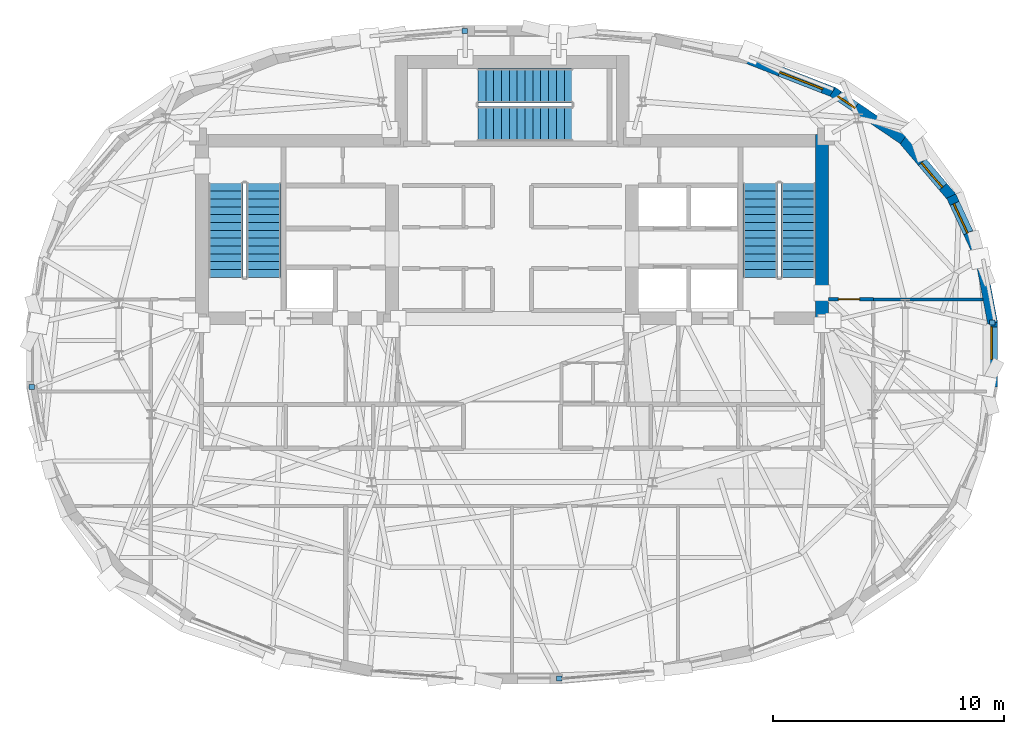
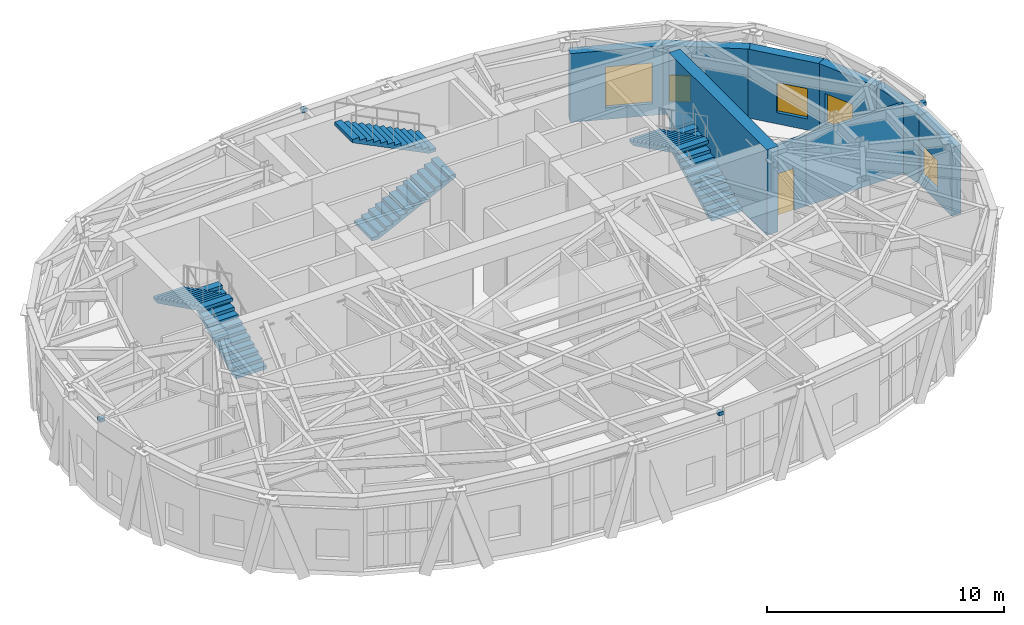
# One storey, part 12 of 15: 9 walls, 6 stair flights, 5 windows, 4 discrete accessories, 1 door, 6 openings, 3 elements without a shape of their own.
"""IFC4 building model written with IfcOpenShell, lengths in metres."""

from ifc_helpers import new_model, si_unit, direction, frame, frame_2d, origin, origin_2d, place, context, subcontext, project, spatial, polyline, rectangle, outline, extrude, material, layer, layer_set, type_object, element, fill, aggregate, save


model = new_model("IFC4")

# Units and contexts
model_context = context("Model", 3, precision=1e-05, world=origin(), true_north=direction((0.0, 1.0)))
body_context = subcontext(model_context, "Body", "Model", "MODEL_VIEW")
ifc_project = project(units=[si_unit("LENGTHUNIT", "METRE"), si_unit("AREAUNIT", "SQUARE_METRE"), si_unit("VOLUMEUNIT", "CUBIC_METRE"), si_unit("PLANEANGLEUNIT", "RADIAN"), si_unit("MASSUNIT", "GRAM", prefix="KILO")], contexts=[model_context])

# Site, building, storey
site_placement = place(None, origin())
site = spatial("IfcSite", under=ifc_project, at=site_placement, CompositionType="ELEMENT")
building_placement = place(site_placement, origin())
building = spatial("IfcBuilding", under=site, at=building_placement, Name="Keldmark Tower", CompositionType="ELEMENT")
storey_placement = place(building_placement, frame((0.0, 0.0, 260.39990234375)))
storey = spatial("IfcBuildingStorey", under=building, at=storey_placement, Name="L74", CompositionType="ELEMENT", Elevation=260.39990234375)

# Wall, opening, door
ifc_material_1 = material(Name="Acoustic Double-Layer Gypsum Corridor Partition", Category="gypsum")
ifc_layer_1 = layer(ifc_material_1, 0.139892578125)
ifc_layer_set_1 = layer_set([ifc_layer_1], Name="Acoustic Double-Layer Gypsum Corridor Partition")
wall_type_1 = type_object("IfcWallType", Name="Acoustic Corridor Partition 140 mm", PredefinedType="PARTITIONING", material=ifc_layer_set_1)
wall_1_placement = place(storey_placement, frame((13.699951171875, 2.39990234375, 0.0), z_axis=(0.0, 0.0, 1.0), x_axis=(1.0, 0.0, 0.0)))
wall_1 = element("IfcWall", 1, at=wall_1_placement, inside=storey, type_object=wall_type_1, Name="L74 Acoustic Corridor Partition 140 mm COR-EN-CAP", PredefinedType="PARTITIONING", context=body_context, shape_type="SweptSolid", body=[
    extrude(rectangle(XDim=1.949951171875, YDim=0.139892578125, at=frame_2d((0.97509765625, 0.0))), origin(), (0.0, 0.0, 1.0), 3.633056640625),
])
opening_1_placement = place(wall_1_placement, frame((0.43994140625, 0.0, 0.0)))
opening_1 = element("IfcOpeningElement", 2, at=opening_1_placement, cuts=wall_1, Name="Opening D-EX092", PredefinedType="OPENING", context=body_context, shape_type="SweptSolid", body=[
    extrude(rectangle(XDim=0.919921875, YDim=2.14990234375, at=frame_2d((0.4599609375, 1.074951171875))), frame((0.0, 0.079833984375, 0.0), z_axis=(0.0, -1.0, 0.0), x_axis=(1.0, 0.0, 0.0)), (0.0, 0.0, 1.0), 0.159912109375),
])
ifc_material_2 = material(Name="Flush American Ash Executive Office Door", Category="wood")
door_type = type_object("IfcDoorType", Name="Executive Office Door 920x2150", OperationType="NOTDEFINED", PredefinedType="DOOR", material=ifc_material_2)
door_placement = place(opening_1_placement, origin())
door = element("IfcDoor", 3, at=door_placement, inside=storey, type_object=door_type, Name="L74 Executive Office Door 920x2150 D-NRNE-L74", OperationType="SINGLE_SWING_RIGHT", OverallHeight=2.14990234375, OverallWidth=0.919921875, PredefinedType="DOOR", context=body_context, shape_type="SweptSolid", body=[
    extrude(rectangle(XDim=0.919921875, YDim=2.14990234375, at=frame_2d((0.4599609375, 1.074951171875))), frame((0.0, 0.02490234375, 0.0), z_axis=(0.0, -1.0, 0.0), x_axis=(1.0, 0.0, 0.0)), (0.0, 0.0, 1.0), 0.050048828125),
])
fill(opening_1, door)

# Walls
ifc_material_3 = material(Name="Concrete C50/60", Category="concrete")
ifc_layer_2 = layer(ifc_material_3, 0.550048828125)
ifc_layer_set_2 = layer_set([ifc_layer_2], Name="Concrete C50/60")
wall_type_2 = type_object("IfcWallType", Name="High-Rise Core Shear Wall 550 mm", PredefinedType="SHEAR", material=ifc_layer_set_2)
wall_2_placement = place(storey_placement, frame((13.425048828125, 1.300048828125, 0.0), z_axis=(0.0, 0.0, 1.0), x_axis=(0.0, 1.0, 0.0)))
element("IfcWall", 4, at=wall_2_placement, inside=storey, type_object=wall_type_2, Name="L74 East Core Outer Shear Wall", PredefinedType="SHEAR", context=body_context, shape_type="SweptSolid", body=[
    extrude(rectangle(XDim=8.25, YDim=0.550048828125, at=frame_2d((4.125, 0.0))), origin(), (0.0, 0.0, 1.0), 4.400146484375),
])
ifc_material_4 = material(Name="Acoustic Gypsum Board Interior Partition", Category="gypsum")
ifc_layer_3 = layer(ifc_material_4, 0.1298828125)
ifc_layer_set_3 = layer_set([ifc_layer_3], Name="Acoustic Gypsum Board Interior Partition")
wall_type_3 = type_object("IfcWallType", Name="Interior Partition 130 mm", PredefinedType="PARTITIONING", material=ifc_layer_set_3)
wall_3_placement = place(storey_placement, frame((15.64990234375, 2.39990234375, 0.0), z_axis=(0.0, 0.0, 1.0), x_axis=(1.0, 0.0, 0.0)))
element("IfcWall", 5, at=wall_3_placement, inside=storey, type_object=wall_type_3, Name="L74 Interior Partition 130 mm E-CAP-N", PredefinedType="PARTITIONING", context=body_context, shape_type="SweptSolid", body=[
    extrude(rectangle(XDim=4.73974609375, YDim=0.1298828125, at=frame_2d((2.369873046875, 0.0))), origin(), (0.0, 0.0, 1.0), 3.633056640625),
])
ifc_material_5 = material(Name="Ironspot Manganese Brick and Kasota Buff Limestone Spandrel Assembly", Category="masonry")
ifc_layer_4 = layer(ifc_material_5, 0.43994140625)
ifc_layer_set_4 = layer_set([ifc_layer_4], Name="Ironspot Manganese Brick and Kasota Buff Limestone Spandrel Assembly")
wall_type_4 = type_object("IfcWallType", Name="Tower Brick Pier and Spandrel Wall 440 mm", PredefinedType="STANDARD", material=ifc_layer_set_4)
wall_4_placement = place(storey_placement, frame((20.286376953125, 4.175537109375, 0.0), z_axis=(0.0, 0.0, 1.0), x_axis=(0.185555519657, -0.982633781795, 0.0)))
element("IfcWall", 6, at=wall_4_placement, inside=storey, type_object=wall_type_4, Name="L74 Exterior Brick and Spandrel Wall 01", PredefinedType="STANDARD", context=body_context, shape_type="SweptSolid", body=[
    extrude(rectangle(XDim=2.86181640625, YDim=0.43994140625, at=frame_2d((1.430908203125, 0.0))), origin(), (0.0, 0.0, 1.0), 3.546142578125),
])

# Wall, opening, window
wall_5_placement = place(storey_placement, frame((19.02197265625, 6.872314453125, 0.0), z_axis=(0.0, 0.0, 1.0), x_axis=(0.422378607623, -0.906419501016, 0.0)))
wall_5 = element("IfcWall", 7, at=wall_5_placement, inside=storey, type_object=wall_type_4, Name="L74 Exterior Brick and Spandrel Wall 02", PredefinedType="STANDARD", context=body_context, shape_type="SweptSolid", body=[
    extrude(rectangle(XDim=3.032958984375, YDim=0.43994140625, at=frame_2d((1.5166015625, 0.0))), origin(), (0.0, 0.0, 1.0), 3.546142578125),
])
opening_2_placement = place(wall_5_placement, frame((0.347900390625, 0.0, 0.580078125)))
opening_2 = element("IfcOpeningElement", 8, at=opening_2_placement, cuts=wall_5, Name="Opening W-08", PredefinedType="OPENING", context=body_context, shape_type="SweptSolid", body=[
    extrude(rectangle(XDim=1.39990234375, YDim=1.550048828125, at=frame_2d((0.699951171875, 0.77490234375))), frame((0.0, 0.22998046875, 0.0), z_axis=(0.0, -1.0, 0.0), x_axis=(1.0, 0.0, 0.0)), (0.0, 0.0, 1.0), 0.4599609375),
])
ifc_material_6 = material(Name="Thermally Broken Anodized Aluminum and Triple Low-E Argon Glazing", Category="aluminium")
window_type_1 = type_object("IfcWindowType", Name="Residential Corner Punched Window 1400x1550", PartitioningType="SINGLE_PANEL", PredefinedType="WINDOW", material=ifc_material_6)
window_1_placement = place(opening_2_placement, origin())
window_1 = element("IfcWindow", 9, at=window_1_placement, inside=storey, type_object=window_type_1, Name="L74 Deep-Set Window 02", OverallHeight=1.550048828125, OverallWidth=1.39990234375, PartitioningType="SINGLE_PANEL", PredefinedType="WINDOW", context=body_context, shape_type="SweptSolid", body=[
    extrude(rectangle(XDim=1.39990234375, YDim=1.550048828125, at=frame_2d((0.699951171875, 0.77490234375))), frame((0.0, -0.010009765625, 0.0), z_axis=(0.0, -1.0, 0.0), x_axis=(1.0, 0.0, 0.0)), (0.0, 0.0, 1.0), 0.06005859375),
])
fill(opening_2, window_1)

wall_6_placement = place(storey_placement, frame((16.904052734375, 9.355712890625, 0.0), z_axis=(0.0, 0.0, 1.0), x_axis=(0.647061604266, -0.762437722233, 0.0)))
wall_6 = element("IfcWall", 10, at=wall_6_placement, inside=storey, type_object=wall_type_4, Name="L74 Exterior Brick and Spandrel Wall 03", PredefinedType="STANDARD", context=body_context, shape_type="SweptSolid", body=[
    extrude(rectangle(XDim=3.322265625, YDim=0.43994140625, at=frame_2d((1.6611328125, 0.0))), origin(), (0.0, 0.0, 1.0), 3.546142578125),
])
opening_3_placement = place(wall_6_placement, frame((1.329345703125, 0.0, 0.580078125)))
opening_3 = element("IfcOpeningElement", 11, at=opening_3_placement, cuts=wall_6, Name="Opening W-08", PredefinedType="OPENING", context=body_context, shape_type="SweptSolid", body=[
    extrude(rectangle(XDim=1.39990234375, YDim=1.550048828125, at=frame_2d((0.699951171875, 0.77490234375))), frame((0.0, 0.22998046875, 0.0), z_axis=(0.0, -1.0, 0.0), x_axis=(1.0, 0.0, 0.0)), (0.0, 0.0, 1.0), 0.4599609375),
])
window_2_placement = place(opening_3_placement, origin())
window_2 = element("IfcWindow", 12, at=window_2_placement, inside=storey, type_object=window_type_1, Name="L74 Deep-Set Window 03", OverallHeight=1.550048828125, OverallWidth=1.39990234375, PartitioningType="SINGLE_PANEL", PredefinedType="WINDOW", context=body_context, shape_type="SweptSolid", body=[
    extrude(rectangle(XDim=1.39990234375, YDim=1.550048828125, at=frame_2d((0.699951171875, 0.77490234375))), frame((0.0, -0.010009765625, 0.0), z_axis=(0.0, -1.0, 0.0), x_axis=(1.0, 0.0, 0.0)), (0.0, 0.0, 1.0), 0.06005859375),
])
fill(opening_3, window_2)

wall_7_placement = place(storey_placement, frame((13.886962890625, 11.39111328125, 0.0), z_axis=(0.0, 0.0, 1.0), x_axis=(0.827739678134, -0.561112310721, 0.0)))
wall_7 = element("IfcWall", 13, at=wall_7_placement, inside=storey, type_object=wall_type_4, Name="L74 Exterior Brick and Spandrel Wall 04", PredefinedType="STANDARD", context=body_context, shape_type="SweptSolid", body=[
    extrude(rectangle(XDim=3.6982421875, YDim=0.43994140625, at=frame_2d((1.84912109375, 0.0))), origin(), (0.0, 0.0, 1.0), 3.550048828125),
])
opening_4_placement = place(wall_7_placement, frame((0.2998046875, 0.0, 0.580078125)))
opening_4 = element("IfcOpeningElement", 14, at=opening_4_placement, cuts=wall_7, Name="Opening W-09", PredefinedType="OPENING", context=body_context, shape_type="SweptSolid", body=[
    extrude(rectangle(XDim=0.89990234375, YDim=1.35009765625, at=frame_2d((0.449951171875, 0.675048828125))), frame((0.0, 0.22998046875, 0.0), z_axis=(0.0, -1.0, 0.0), x_axis=(1.0, 0.0, 0.0)), (0.0, 0.0, 1.0), 0.4599609375),
])
ifc_material_7 = material(Name="Thermally Broken Anodized Aluminum and Triple Low-E Argon Glazing", Category="aluminium")
window_type_2 = type_object("IfcWindowType", Name="Corner Pier Deep-Set Window 900x1350", PartitioningType="SINGLE_PANEL", PredefinedType="WINDOW", material=ifc_material_7)
window_3_placement = place(opening_4_placement, origin())
window_3 = element("IfcWindow", 15, at=window_3_placement, inside=storey, type_object=window_type_2, Name="L74 Deep-Set Window 04", OverallHeight=1.35009765625, OverallWidth=0.89990234375, PartitioningType="SINGLE_PANEL", PredefinedType="WINDOW", context=body_context, shape_type="SweptSolid", body=[
    extrude(rectangle(XDim=0.89990234375, YDim=1.35009765625, at=frame_2d((0.449951171875, 0.675048828125))), frame((0.0, -0.010009765625, 0.0), z_axis=(0.0, -1.0, 0.0), x_axis=(1.0, 0.0, 0.0)), (0.0, 0.0, 1.0), 0.06005859375),
])
fill(opening_4, window_3)

wall_8_placement = place(storey_placement, frame((10.194091796875, 12.82568359375, 0.0), z_axis=(0.0, 0.0, 1.0), x_axis=(0.931645487624, -0.36336852559, 0.0)))
wall_8 = element("IfcWall", 16, at=wall_8_placement, inside=storey, type_object=wall_type_4, Name="L74 Exterior Brick and Spandrel Wall 05", PredefinedType="STANDARD", context=body_context, shape_type="SweptSolid", body=[
    extrude(rectangle(XDim=4.010498046875, YDim=0.43994140625, at=frame_2d((2.00537109375, 0.0))), origin(), (0.0, 0.0, 1.0), 3.546142578125),
])
opening_5_placement = place(wall_8_placement, frame((1.517578125, 0.0, 0.60009765625)))
opening_5 = element("IfcOpeningElement", 17, at=opening_5_placement, cuts=wall_8, Name="Opening W-06", PredefinedType="OPENING", context=body_context, shape_type="SweptSolid", body=[
    extrude(rectangle(XDim=2.0, YDim=2.10009765625, at=frame_2d((1.0, 1.050048828125))), frame((0.0, 0.22998046875, 0.0), z_axis=(0.0, -1.0, 0.0), x_axis=(1.0, 0.0, 0.0)), (0.0, 0.0, 1.0), 0.4599609375),
])
ifc_material_8 = material(Name="Thermally Broken Anodized Aluminum and Triple Low-E Argon Glazing", Category="aluminium")
window_type_3 = type_object("IfcWindowType", Name="Sky Lounge Tall Punched Window 2000x2100", PartitioningType="SINGLE_PANEL", PredefinedType="WINDOW", material=ifc_material_8)
window_4_placement = place(opening_5_placement, origin())
window_4 = element("IfcWindow", 18, at=window_4_placement, inside=storey, type_object=window_type_3, Name="L74 Deep-Set Window 05", OverallHeight=2.10009765625, OverallWidth=2.0, PartitioningType="SINGLE_PANEL", PredefinedType="WINDOW", context=body_context, shape_type="SweptSolid", body=[
    extrude(rectangle(XDim=2.0, YDim=2.10009765625, at=frame_2d((1.0, 1.050048828125))), frame((0.0, -0.010009765625, 0.0), z_axis=(0.0, -1.0, 0.0), x_axis=(1.0, 0.0, 0.0)), (0.0, 0.0, 1.0), 0.06005859375),
])
fill(opening_5, window_4)

wall_9_placement = place(storey_placement, frame((20.813720703125, 1.404296875, 0.0), z_axis=(0.0, 0.0, 1.0), x_axis=(0.0, -1.0, 0.0)))
wall_9 = element("IfcWall", 19, at=wall_9_placement, inside=storey, type_object=wall_type_4, Name="L74 Exterior Brick and Spandrel Wall 32", PredefinedType="STANDARD", context=body_context, shape_type="SweptSolid", body=[
    extrude(rectangle(XDim=2.80859375, YDim=0.43994140625, at=frame_2d((1.404296875, 0.0))), origin(), (0.0, 0.0, 1.0), 3.546142578125),
])
opening_6_placement = place(wall_9_placement, frame((0.199951171875, 0.0, 0.580078125)))
opening_6 = element("IfcOpeningElement", 20, at=opening_6_placement, cuts=wall_9, Name="Opening W-08", PredefinedType="OPENING", context=body_context, shape_type="SweptSolid", body=[
    extrude(rectangle(XDim=1.39990234375, YDim=1.550048828125, at=frame_2d((0.699951171875, 0.77490234375))), frame((0.0, 0.22998046875, 0.0), z_axis=(0.0, -1.0, 0.0), x_axis=(1.0, 0.0, 0.0)), (0.0, 0.0, 1.0), 0.4599609375),
])
window_5_placement = place(opening_6_placement, origin())
window_5 = element("IfcWindow", 21, at=window_5_placement, inside=storey, type_object=window_type_1, Name="L74 Deep-Set Window 32", OverallHeight=1.550048828125, OverallWidth=1.39990234375, PartitioningType="SINGLE_PANEL", PredefinedType="WINDOW", context=body_context, shape_type="SweptSolid", body=[
    extrude(rectangle(XDim=1.39990234375, YDim=1.550048828125, at=frame_2d((0.699951171875, 0.77490234375))), frame((0.0, -0.010009765625, 0.0), z_axis=(0.0, -1.0, 0.0), x_axis=(1.0, 0.0, 0.0)), (0.0, 0.0, 1.0), 0.06005859375),
])
fill(opening_6, window_5)

# Stair, stair flights
ifc_material_9 = material(Name="Concrete C40/50", Category="concrete")
stair_type = type_object("IfcStairType", Name="Precast Concrete Core Exit Stair", PredefinedType="HALF_TURN_STAIR", material=ifc_material_9)
stair_1_placement = place(storey_placement, origin())
stair_1 = element("IfcStair", 22, at=stair_1_placement, inside=storey, type_object=stair_type, Name="L74 Exit Stair ST1", PredefinedType="HALF_TURN_STAIR")
ifc_material_10 = material(Name="Concrete C40/50", Category="concrete")
stair_flight_type = type_object("IfcStairFlightType", Name="Precast Concrete Stair Flight 1500 mm", PredefinedType="STRAIGHT", material=ifc_material_10)
stair_flight_1_placement = place(storey_placement, frame((-10.75, 3.35009765625, 0.0), z_axis=(0.0, 0.0, 1.0), x_axis=(0.0, 1.0, 0.0)))
stair_flight_1 = element("IfcStairFlight", 23, at=stair_flight_1_placement, type_object=stair_flight_type, Name="ST1 flight 1", NumberOfRisers=13, NumberOfTreads=12, PredefinedType="STRAIGHT", RiserHeight=0.169230769, TreadLength=0.34, context=body_context, shape_type="SweptSolid", body=[
    extrude(outline(polyline([(0.0, 0.0), (0.0, 0.169189453125), (0.340087890625, 0.169189453125), (0.340087890625, 0.33837890625), (0.679931640625, 0.33837890625), (0.679931640625, 0.5078125), (1.02001953125, 0.5078125), (1.02001953125, 0.677001953125), (1.360107421875, 0.677001953125), (1.360107421875, 0.84619140625), (1.699951171875, 0.84619140625), (1.699951171875, 1.015380859375), (2.0400390625, 1.015380859375), (2.0400390625, 1.1845703125), (2.3798828125, 1.1845703125), (2.3798828125, 1.353759765625), (2.719970703125, 1.353759765625), (2.719970703125, 1.523193359375), (3.06005859375, 1.523193359375), (3.06005859375, 1.6923828125), (3.39990234375, 1.6923828125), (3.39990234375, 1.861572265625), (3.739990234375, 1.861572265625), (3.739990234375, 2.03076171875), (4.080078125, 2.03076171875), (4.080078125, 2.199951171875), (4.080078125, 1.86328125), (0.33642578125, 0.0), (0.0, 0.0)])), frame((0.0, 0.75, 0.0), z_axis=(0.0, -1.0, 0.0), x_axis=(1.0, 0.0, 0.0)), (0.0, 0.0, 1.0), 1.5),
])
stair_flight_2_placement = place(storey_placement, frame((-12.39990234375, 7.429931640625, 2.2001953125), z_axis=(0.0, 0.0, 1.0), x_axis=(0.0, -1.0, 0.0)))
stair_flight_2 = element("IfcStairFlight", 24, at=stair_flight_2_placement, type_object=stair_flight_type, Name="ST1 flight 2", NumberOfRisers=13, NumberOfTreads=12, PredefinedType="STRAIGHT", RiserHeight=0.169230769, TreadLength=0.34, context=body_context, shape_type="SweptSolid", body=[
    extrude(outline(polyline([(0.0, 0.0), (0.0, 0.169189453125), (0.340087890625, 0.169189453125), (0.340087890625, 0.33837890625), (0.679931640625, 0.33837890625), (0.679931640625, 0.5078125), (1.02001953125, 0.5078125), (1.02001953125, 0.677001953125), (1.360107421875, 0.677001953125), (1.360107421875, 0.84619140625), (1.699951171875, 0.84619140625), (1.699951171875, 1.015380859375), (2.0400390625, 1.015380859375), (2.0400390625, 1.1845703125), (2.3798828125, 1.1845703125), (2.3798828125, 1.353759765625), (2.719970703125, 1.353759765625), (2.719970703125, 1.523193359375), (3.06005859375, 1.523193359375), (3.06005859375, 1.6923828125), (3.39990234375, 1.6923828125), (3.39990234375, 1.861572265625), (3.739990234375, 1.861572265625), (3.739990234375, 2.03076171875), (4.080078125, 2.03076171875), (4.080078125, 2.199951171875), (4.080078125, 1.86328125), (0.33642578125, 0.0), (0.0, 0.0)])), frame((0.0, 0.75, 0.0), z_axis=(0.0, -1.0, 0.0), x_axis=(1.0, 0.0, 0.0)), (0.0, 0.0, 1.0), 1.5),
])
aggregate(stair_1, [stair_flight_1, stair_flight_2])

stair_2_placement = place(storey_placement, origin())
stair_2 = element("IfcStair", 25, at=stair_2_placement, inside=storey, type_object=stair_type, Name="L74 Exit Stair ST2", PredefinedType="HALF_TURN_STAIR")
stair_flight_3_placement = place(storey_placement, frame((12.39990234375, 3.35009765625, 0.0), z_axis=(0.0, 0.0, 1.0), x_axis=(0.0, 1.0, 0.0)))
stair_flight_3 = element("IfcStairFlight", 26, at=stair_flight_3_placement, type_object=stair_flight_type, Name="ST2 flight 1", NumberOfRisers=13, NumberOfTreads=12, PredefinedType="STRAIGHT", RiserHeight=0.169230769, TreadLength=0.34, context=body_context, shape_type="SweptSolid", body=[
    extrude(outline(polyline([(0.0, 0.0), (0.0, 0.169189453125), (0.340087890625, 0.169189453125), (0.340087890625, 0.33837890625), (0.679931640625, 0.33837890625), (0.679931640625, 0.5078125), (1.02001953125, 0.5078125), (1.02001953125, 0.677001953125), (1.360107421875, 0.677001953125), (1.360107421875, 0.84619140625), (1.699951171875, 0.84619140625), (1.699951171875, 1.015380859375), (2.0400390625, 1.015380859375), (2.0400390625, 1.1845703125), (2.3798828125, 1.1845703125), (2.3798828125, 1.353759765625), (2.719970703125, 1.353759765625), (2.719970703125, 1.523193359375), (3.06005859375, 1.523193359375), (3.06005859375, 1.6923828125), (3.39990234375, 1.6923828125), (3.39990234375, 1.861572265625), (3.739990234375, 1.861572265625), (3.739990234375, 2.03076171875), (4.080078125, 2.03076171875), (4.080078125, 2.199951171875), (4.080078125, 1.86328125), (0.33642578125, 0.0), (0.0, 0.0)])), frame((0.0, 0.75, 0.0), z_axis=(0.0, -1.0, 0.0), x_axis=(1.0, 0.0, 0.0)), (0.0, 0.0, 1.0), 1.5),
])
stair_flight_4_placement = place(storey_placement, frame((10.75, 7.429931640625, 2.2001953125), z_axis=(0.0, 0.0, 1.0), x_axis=(0.0, -1.0, 0.0)))
stair_flight_4 = element("IfcStairFlight", 27, at=stair_flight_4_placement, type_object=stair_flight_type, Name="ST2 flight 2", NumberOfRisers=13, NumberOfTreads=12, PredefinedType="STRAIGHT", RiserHeight=0.169230769, TreadLength=0.34, context=body_context, shape_type="SweptSolid", body=[
    extrude(outline(polyline([(0.0, 0.0), (0.0, 0.169189453125), (0.340087890625, 0.169189453125), (0.340087890625, 0.33837890625), (0.679931640625, 0.33837890625), (0.679931640625, 0.5078125), (1.02001953125, 0.5078125), (1.02001953125, 0.677001953125), (1.360107421875, 0.677001953125), (1.360107421875, 0.84619140625), (1.699951171875, 0.84619140625), (1.699951171875, 1.015380859375), (2.0400390625, 1.015380859375), (2.0400390625, 1.1845703125), (2.3798828125, 1.1845703125), (2.3798828125, 1.353759765625), (2.719970703125, 1.353759765625), (2.719970703125, 1.523193359375), (3.06005859375, 1.523193359375), (3.06005859375, 1.6923828125), (3.39990234375, 1.6923828125), (3.39990234375, 1.861572265625), (3.739990234375, 1.861572265625), (3.739990234375, 2.03076171875), (4.080078125, 2.03076171875), (4.080078125, 2.199951171875), (4.080078125, 1.86328125), (0.33642578125, 0.0), (0.0, 0.0)])), frame((0.0, 0.75, 0.0), z_axis=(0.0, -1.0, 0.0), x_axis=(1.0, 0.0, 0.0)), (0.0, 0.0, 1.0), 1.5),
])
aggregate(stair_2, [stair_flight_3, stair_flight_4])

stair_3_placement = place(storey_placement, origin())
stair_3 = element("IfcStair", 28, at=stair_3_placement, inside=storey, type_object=stair_type, Name="L74 Exit Stair ST3", PredefinedType="HALF_TURN_STAIR")
stair_flight_5_placement = place(storey_placement, frame((-1.47509765625, 10.0, 0.0), z_axis=(0.0, 0.0, 1.0), x_axis=(1.0, 0.0, 0.0)))
stair_flight_5 = element("IfcStairFlight", 29, at=stair_flight_5_placement, type_object=stair_flight_type, Name="ST3 flight 1", NumberOfRisers=13, NumberOfTreads=12, PredefinedType="STRAIGHT", RiserHeight=0.169230769, TreadLength=0.34, context=body_context, shape_type="SweptSolid", body=[
    extrude(outline(polyline([(0.0, 0.0), (0.0, 0.169189453125), (0.340087890625, 0.169189453125), (0.340087890625, 0.33837890625), (0.679931640625, 0.33837890625), (0.679931640625, 0.5078125), (1.02001953125, 0.5078125), (1.02001953125, 0.677001953125), (1.360107421875, 0.677001953125), (1.360107421875, 0.84619140625), (1.699951171875, 0.84619140625), (1.699951171875, 1.015380859375), (2.0400390625, 1.015380859375), (2.0400390625, 1.1845703125), (2.3798828125, 1.1845703125), (2.3798828125, 1.353759765625), (2.719970703125, 1.353759765625), (2.719970703125, 1.523193359375), (3.06005859375, 1.523193359375), (3.06005859375, 1.6923828125), (3.39990234375, 1.6923828125), (3.39990234375, 1.861572265625), (3.739990234375, 1.861572265625), (3.739990234375, 2.03076171875), (4.080078125, 2.03076171875), (4.080078125, 2.199951171875), (4.080078125, 1.86328125), (0.33642578125, 0.0), (0.0, 0.0)])), frame((0.0, 0.75, 0.0), z_axis=(0.0, -1.0, 0.0), x_axis=(1.0, 0.0, 0.0)), (0.0, 0.0, 1.0), 1.5),
])
stair_flight_6_placement = place(storey_placement, frame((2.60498046875, 11.64990234375, 2.2001953125), z_axis=(0.0, 0.0, 1.0), x_axis=(-1.0, 0.0, 0.0)))
stair_flight_6 = element("IfcStairFlight", 30, at=stair_flight_6_placement, type_object=stair_flight_type, Name="ST3 flight 2", NumberOfRisers=13, NumberOfTreads=12, PredefinedType="STRAIGHT", RiserHeight=0.169230769, TreadLength=0.34, context=body_context, shape_type="SweptSolid", body=[
    extrude(outline(polyline([(0.0, 0.0), (0.0, 0.169189453125), (0.340087890625, 0.169189453125), (0.340087890625, 0.33837890625), (0.679931640625, 0.33837890625), (0.679931640625, 0.5078125), (1.02001953125, 0.5078125), (1.02001953125, 0.677001953125), (1.360107421875, 0.677001953125), (1.360107421875, 0.84619140625), (1.699951171875, 0.84619140625), (1.699951171875, 1.015380859375), (2.0400390625, 1.015380859375), (2.0400390625, 1.1845703125), (2.3798828125, 1.1845703125), (2.3798828125, 1.353759765625), (2.719970703125, 1.353759765625), (2.719970703125, 1.523193359375), (3.06005859375, 1.523193359375), (3.06005859375, 1.6923828125), (3.39990234375, 1.6923828125), (3.39990234375, 1.861572265625), (3.739990234375, 1.861572265625), (3.739990234375, 2.03076171875), (4.080078125, 2.03076171875), (4.080078125, 2.199951171875), (4.080078125, 1.86328125), (0.33642578125, 0.0), (0.0, 0.0)])), frame((0.0, 0.75, 0.0), z_axis=(0.0, -1.0, 0.0), x_axis=(1.0, 0.0, 0.0)), (0.0, 0.0, 1.0), 1.5),
])
aggregate(stair_3, [stair_flight_5, stair_flight_6])

# Discrete accessories
ifc_material_11 = material(Name="Hot-Dip Galvanized Steel ASTM A572 Grade 50", Category="steel")
discrete_accessory_type = type_object("IfcDiscreteAccessoryType", Name="Masonry Spandrel Shelf-Angle Bracket", PredefinedType="BRACKET", material=ifc_material_11)
for number, where, z_axis, x_axis, name in (
    (31, (20.794189453125, 1.388427734375, 3.990234375), (0.0, 0.0, 1.0), (1.0, 0.0, 0.0), "L74 Masonry Shelf-Angle Bracket 00"),
    (32, (-2.037109375, 14.021728515625, 3.990234375), (0.0, 0.0, 1.0), (1.0, 0.0, 0.0), "L74 Masonry Shelf-Angle Bracket 08"),
    (33, (-20.794189453125, -1.388427734375, 3.990234375), (0.0, 0.0, 1.0), (1.0, 0.0, 0.0), "L74 Masonry Shelf-Angle Bracket 16"),
    (34, (2.037109375, -14.021728515625, 3.990234375), (0.0, 0.0, 1.0), (1.0, 0.0, 0.0), "L74 Masonry Shelf-Angle Bracket 24"),
):
    element("IfcDiscreteAccessory", number, at=place(storey_placement, frame(where, z_axis=z_axis, x_axis=x_axis)), inside=storey, type_object=discrete_accessory_type, Name=name, PredefinedType="BRACKET", context=body_context, shape_type="SweptSolid", body=[
        extrude(rectangle(XDim=0.239990234375, YDim=0.219970703125, at=origin_2d()), origin(), (0.0, 0.0, 1.0), 0.179931640625),
    ])

save(model, "model.ifc")
